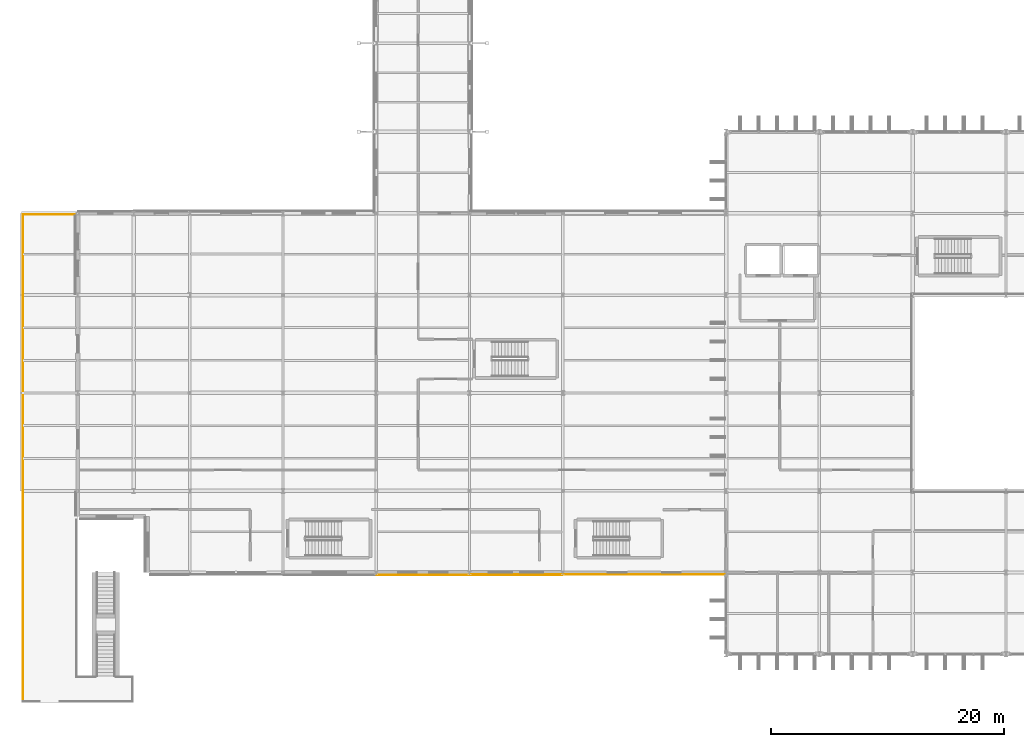
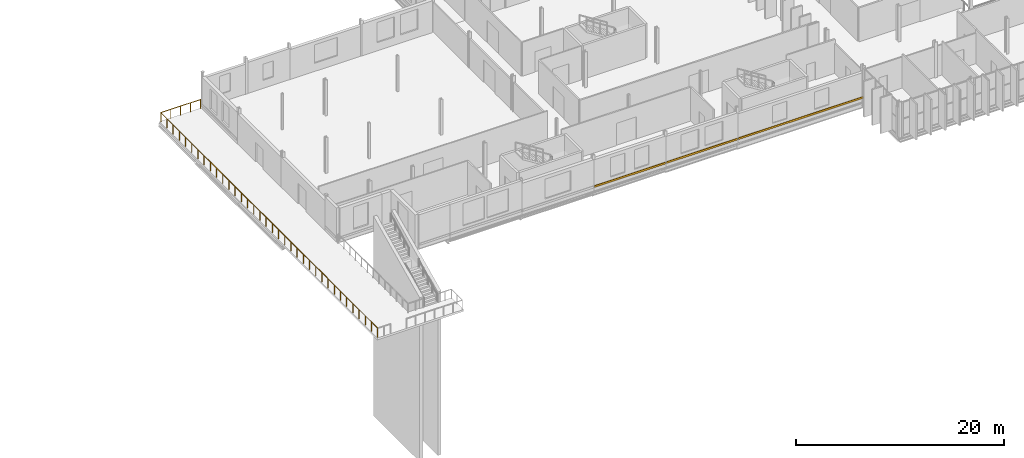
# One storey, part 92 of 101: 3 coverings, 1 railing.
"""IFC4 building model written with IfcOpenShell, lengths in metres."""

from ifc_helpers import new_model, si_unit, direction, frame, origin, origin_2d, place, context, subcontext, project, spatial, rectangle, circle, extrude, material, layer, layer_set, type_object, element, save


model = new_model("IFC4")

# Units and contexts
model_context = context("Model", 3, precision=1e-05, world=origin(), true_north=direction((0.0, 1.0)))
body_context = subcontext(model_context, "Body", "Model", "MODEL_VIEW")
ifc_project = project(units=[si_unit("LENGTHUNIT", "METRE"), si_unit("AREAUNIT", "SQUARE_METRE"), si_unit("VOLUMEUNIT", "CUBIC_METRE"), si_unit("PLANEANGLEUNIT", "RADIAN"), si_unit("MASSUNIT", "GRAM", prefix="KILO")], contexts=[model_context])

# Site, building, storey
site_placement = place(None, origin())
site = spatial("IfcSite", under=ifc_project, at=site_placement, CompositionType="ELEMENT")
building_placement = place(site_placement, origin())
building = spatial("IfcBuilding", under=site, at=building_placement, Name="Vekula Escarpment Museum", CompositionType="ELEMENT")
storey_placement = place(building_placement, frame((0.0, 0.0, 18.0)))
storey = spatial("IfcBuildingStorey", under=building, at=storey_placement, Name="L04", CompositionType="ELEMENT", Elevation=18.0)

# Coverings
ifc_material_1 = material(Name="Polychrome limestone almasik string-course band", Category="masonry")
ifc_layer = layer(ifc_material_1, 0.06005859375)
ifc_layer_set = layer_set([ifc_layer], Name="Polychrome limestone almasik string-course band")
covering_type = type_object("IfcCoveringType", Name="COV-ALM-BAND", PredefinedType="CLADDING", material=ifc_layer_set)
for number, where, z_axis, x_axis, name in (
    (1, (44.0, 52.39892578125, 0.41015625), (0.0, 0.0, 1.0), (1.0, 0.0, 0.0), "Almasik Stone String Course L04-0579"),
    (2, (52.0, 52.4140625, 0.41015625), (0.0, 0.0, 1.0), (1.0, 0.0, 0.0), "Almasik Stone String Course L04-0580"),
):
    element("IfcCovering", number, at=place(storey_placement, frame(where, z_axis=z_axis, x_axis=x_axis)), inside=storey, type_object=covering_type, Name=name, PredefinedType="CLADDING", context=body_context, shape_type="SweptSolid", body=[
        extrude(rectangle(XDim=7.8798828125, YDim=0.06005859375, at=origin_2d()), origin(), (0.0, 0.0, 1.0), 0.219970703125),
    ])
covering_placement = place(storey_placement, frame((63.0, 52.424072265625, 0.41015625), z_axis=(0.0, 0.0, 1.0), x_axis=(1.0, 0.0, 0.0)))
element("IfcCovering", 3, at=covering_placement, inside=storey, type_object=covering_type, Name="Almasik Stone String Course L04-0581", PredefinedType="CLADDING", context=body_context, shape_type="SweptSolid", body=[
    extrude(rectangle(XDim=13.8798828125, YDim=0.06005859375, at=origin_2d()), origin(), (0.0, 0.0, 1.0), 0.219970703125),
])

# Railing
ifc_material_2 = material(Name="Bronze-coated Steel S355 balustrade", Category="steel")
railing_type = type_object("IfcRailingType", Name="RL-TER-GUARD", PredefinedType="GUARDRAIL", material=ifc_material_2)
railing_placement = place(storey_placement, frame((9.68994140625, 41.550048828125, 0.0)))
element("IfcRailing", 4, at=railing_placement, inside=storey, type_object=railing_type, Name="Terrace Balustrade L04-032", PredefinedType="GUARDRAIL", context=body_context, shape_type="SweptSolid", body=[
    extrude(circle(Radius=0.02392578125, at=origin_2d()), frame((0.0, 0.0, 1.076171875), z_axis=(0.0, 1.0, 0.0), x_axis=(-1.0, 0.0, 0.0)), (0.0, 0.0, 1.0), 41.760009765625),
    extrude(circle(Radius=0.02392578125, at=origin_2d()), frame((0.0, 41.760009765625, 1.076171875), z_axis=(1.0, 0.0, 0.0), x_axis=(0.0, 1.0, 0.0)), (0.0, 0.0, 1.0), 4.43017578125),
    extrude(circle(Radius=0.02099609375, at=origin_2d()), origin(), (0.0, 0.0, 1.0), 1.052001953125),
    extrude(circle(Radius=0.02099609375, at=origin_2d()), frame((0.0, 1.193115234375, 0.0)), (0.0, 0.0, 1.0), 1.052001953125),
    extrude(circle(Radius=0.02099609375, at=origin_2d()), frame((0.0, 2.38623046875, 0.0)), (0.0, 0.0, 1.0), 1.052001953125),
    extrude(circle(Radius=0.02099609375, at=origin_2d()), frame((0.0, 3.579345703125, 0.0)), (0.0, 0.0, 1.0), 1.052001953125),
    extrude(circle(Radius=0.02099609375, at=origin_2d()), frame((0.0, 4.7724609375, 0.0)), (0.0, 0.0, 1.0), 1.052001953125),
    extrude(circle(Radius=0.02099609375, at=origin_2d()), frame((0.0, 5.9658203125, 0.0)), (0.0, 0.0, 1.0), 1.052001953125),
    extrude(circle(Radius=0.02099609375, at=origin_2d()), frame((0.0, 7.158935546875, 0.0)), (0.0, 0.0, 1.0), 1.052001953125),
    extrude(circle(Radius=0.02099609375, at=origin_2d()), frame((0.0, 8.35205078125, 0.0)), (0.0, 0.0, 1.0), 1.052001953125),
    extrude(circle(Radius=0.02099609375, at=origin_2d()), frame((0.0, 9.545166015625, 0.0)), (0.0, 0.0, 1.0), 1.052001953125),
    extrude(circle(Radius=0.02099609375, at=origin_2d()), frame((0.0, 10.73828125, 0.0)), (0.0, 0.0, 1.0), 1.052001953125),
    extrude(circle(Radius=0.02099609375, at=origin_2d()), frame((0.0, 11.931396484375, 0.0)), (0.0, 0.0, 1.0), 1.052001953125),
    extrude(circle(Radius=0.02099609375, at=origin_2d()), frame((0.0, 13.12451171875, 0.0)), (0.0, 0.0, 1.0), 1.052001953125),
    extrude(circle(Radius=0.02099609375, at=origin_2d()), frame((0.0, 14.317626953125, 0.0)), (0.0, 0.0, 1.0), 1.052001953125),
    extrude(circle(Radius=0.02099609375, at=origin_2d()), frame((0.0, 15.5107421875, 0.0)), (0.0, 0.0, 1.0), 1.052001953125),
    extrude(circle(Radius=0.02099609375, at=origin_2d()), frame((0.0, 16.7041015625, 0.0)), (0.0, 0.0, 1.0), 1.052001953125),
    extrude(circle(Radius=0.02099609375, at=origin_2d()), frame((0.0, 17.897216796875, 0.0)), (0.0, 0.0, 1.0), 1.052001953125),
    extrude(circle(Radius=0.02099609375, at=origin_2d()), frame((0.0, 19.09033203125, 0.0)), (0.0, 0.0, 1.0), 1.052001953125),
    extrude(circle(Radius=0.02099609375, at=origin_2d()), frame((0.0, 20.283447265625, 0.0)), (0.0, 0.0, 1.0), 1.052001953125),
    extrude(circle(Radius=0.02099609375, at=origin_2d()), frame((0.0, 21.4765625, 0.0)), (0.0, 0.0, 1.0), 1.052001953125),
    extrude(circle(Radius=0.02099609375, at=origin_2d()), frame((0.0, 22.669677734375, 0.0)), (0.0, 0.0, 1.0), 1.052001953125),
    extrude(circle(Radius=0.02099609375, at=origin_2d()), frame((0.0, 23.86279296875, 0.0)), (0.0, 0.0, 1.0), 1.052001953125),
    extrude(circle(Radius=0.02099609375, at=origin_2d()), frame((0.0, 25.055908203125, 0.0)), (0.0, 0.0, 1.0), 1.052001953125),
    extrude(circle(Radius=0.02099609375, at=origin_2d()), frame((0.0, 26.249267578125, 0.0)), (0.0, 0.0, 1.0), 1.052001953125),
    extrude(circle(Radius=0.02099609375, at=origin_2d()), frame((0.0, 27.4423828125, 0.0)), (0.0, 0.0, 1.0), 1.052001953125),
    extrude(circle(Radius=0.02099609375, at=origin_2d()), frame((0.0, 28.635498046875, 0.0)), (0.0, 0.0, 1.0), 1.052001953125),
    extrude(circle(Radius=0.02099609375, at=origin_2d()), frame((0.0, 29.82861328125, 0.0)), (0.0, 0.0, 1.0), 1.052001953125),
    extrude(circle(Radius=0.02099609375, at=origin_2d()), frame((0.0, 31.021728515625, 0.0)), (0.0, 0.0, 1.0), 1.052001953125),
    extrude(circle(Radius=0.02099609375, at=origin_2d()), frame((0.0, 32.21484375, 0.0)), (0.0, 0.0, 1.0), 1.052001953125),
    extrude(circle(Radius=0.02099609375, at=origin_2d()), frame((0.0, 33.407958984375, 0.0)), (0.0, 0.0, 1.0), 1.052001953125),
    extrude(circle(Radius=0.02099609375, at=origin_2d()), frame((0.0, 34.60107421875, 0.0)), (0.0, 0.0, 1.0), 1.052001953125),
    extrude(circle(Radius=0.02099609375, at=origin_2d()), frame((0.0, 35.794189453125, 0.0)), (0.0, 0.0, 1.0), 1.052001953125),
    extrude(circle(Radius=0.02099609375, at=origin_2d()), frame((0.0, 36.987548828125, 0.0)), (0.0, 0.0, 1.0), 1.052001953125),
    extrude(circle(Radius=0.02099609375, at=origin_2d()), frame((0.0, 38.1806640625, 0.0)), (0.0, 0.0, 1.0), 1.052001953125),
    extrude(circle(Radius=0.02099609375, at=origin_2d()), frame((0.0, 39.373779296875, 0.0)), (0.0, 0.0, 1.0), 1.052001953125),
    extrude(circle(Radius=0.02099609375, at=origin_2d()), frame((0.0, 40.56689453125, 0.0)), (0.0, 0.0, 1.0), 1.052001953125),
    extrude(circle(Radius=0.02099609375, at=origin_2d()), frame((0.0, 41.760009765625, 0.0)), (0.0, 0.0, 1.0), 1.052001953125),
    extrude(circle(Radius=0.02099609375, at=origin_2d()), frame((1.107421875, 41.760009765625, 0.0)), (0.0, 0.0, 1.0), 1.052001953125),
    extrude(circle(Radius=0.02099609375, at=origin_2d()), frame((2.215087890625, 41.760009765625, 0.0)), (0.0, 0.0, 1.0), 1.052001953125),
    extrude(circle(Radius=0.02099609375, at=origin_2d()), frame((3.32275390625, 41.760009765625, 0.0)), (0.0, 0.0, 1.0), 1.052001953125),
    extrude(circle(Radius=0.02099609375, at=origin_2d()), frame((4.43017578125, 41.760009765625, 0.0)), (0.0, 0.0, 1.0), 1.052001953125),
])

save(model, "model.ifc")
